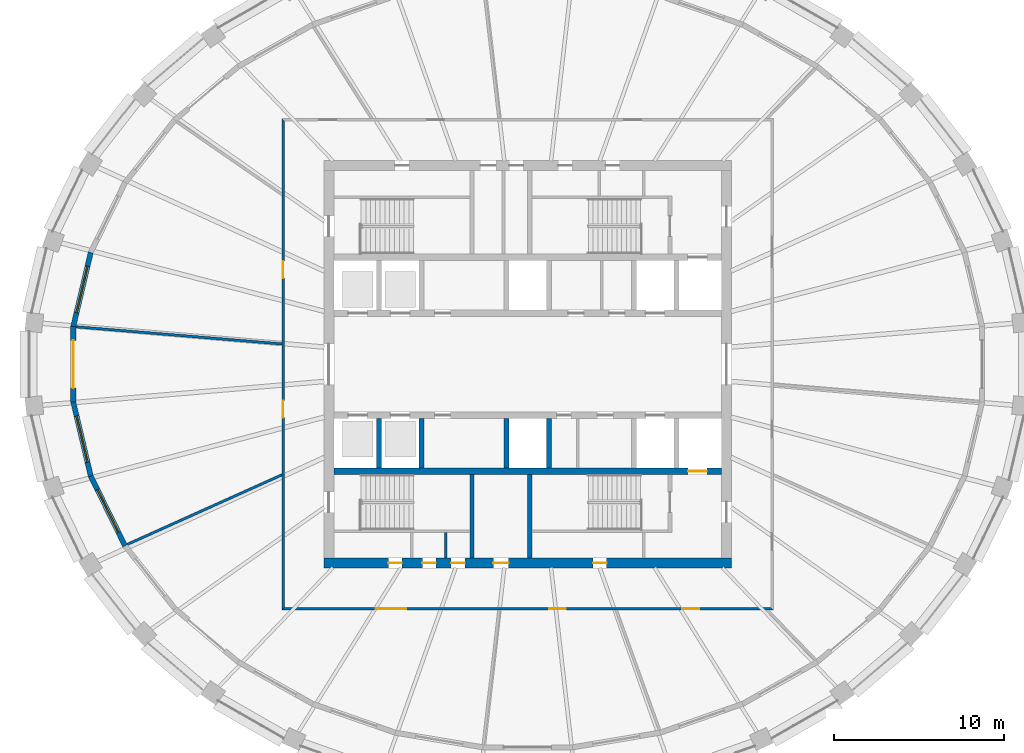
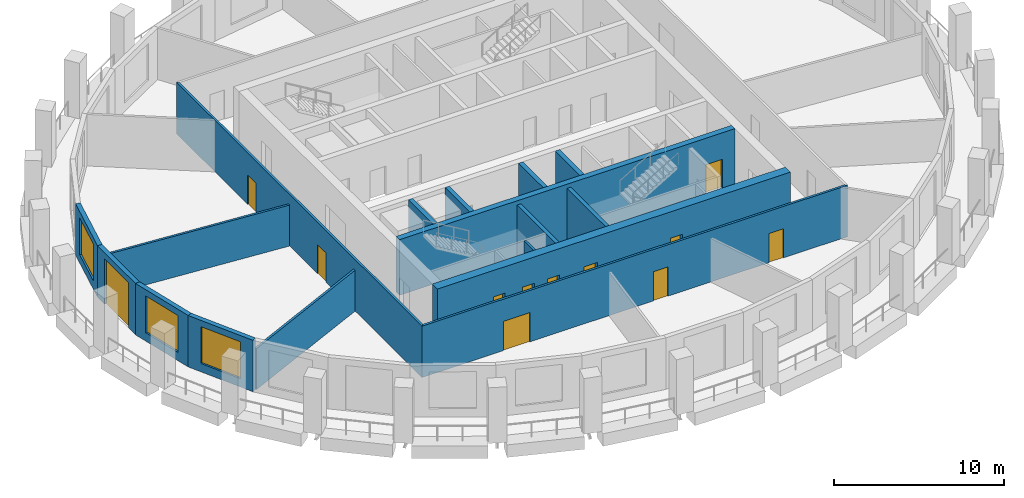
# One storey, part 3 of 10: 17 walls, 12 doors, 3 windows, 15 openings.
"""IFC4 building model written with IfcOpenShell, lengths in metres."""

from ifc_helpers import new_model, si_unit, direction, frame, frame_2d, origin, place, context, subcontext, project, spatial, polyline, rectangle, outline, extrude, material, layer, layer_set, type_object, element, fill, save


model = new_model("IFC4")

# Units and contexts
model_context = context("Model", 3, precision=1e-05, world=origin(), true_north=direction((0.0, 1.0)))
body_context = subcontext(model_context, "Body", "Model", "MODEL_VIEW")
ifc_project = project(units=[si_unit("LENGTHUNIT", "METRE"), si_unit("AREAUNIT", "SQUARE_METRE"), si_unit("VOLUMEUNIT", "CUBIC_METRE"), si_unit("PLANEANGLEUNIT", "RADIAN"), si_unit("MASSUNIT", "GRAM", prefix="KILO")], contexts=[model_context])

# Site, building, storey
site_placement = place(None, origin())
site = spatial("IfcSite", under=ifc_project, at=site_placement, CompositionType="ELEMENT")
building_placement = place(site_placement, origin())
building = spatial("IfcBuilding", under=site, at=building_placement, Name="Halqa Exchange Tower", CompositionType="ELEMENT")
storey_placement = place(building_placement, frame((0.0, 0.0, 288.300048828125)))
storey = spatial("IfcBuildingStorey", under=building, at=storey_placement, Name="L67", CompositionType="ELEMENT", Elevation=288.300048828125)

# Wall, openings, doors
ifc_material_1 = material(Name="Fire-rated gypsum board")
ifc_layer_1 = layer(ifc_material_1, 0.14990234375)
ifc_layer_set_1 = layer_set([ifc_layer_1], Name="Fire-rated gypsum board")
wall_type_1 = type_object("IfcWallType", Name="Fire partition EI 60 150", PredefinedType="PARTITIONING", material=ifc_layer_set_1)
wall_1_placement = place(storey_placement, frame((-14.39990234375, -14.47509765625, 0.0), z_axis=(0.0, 0.0, 1.0), x_axis=(0.0, 1.0, 0.0)))
wall_1 = element("IfcWall", 1, at=wall_1_placement, inside=storey, type_object=wall_type_1, Name="L67-PWL-001", PredefinedType="PARTITIONING", context=body_context, shape_type="SweptSolid", body=[
    extrude(outline(polyline([(0.150146484375, -0.074951171875), (2.06005859375, -0.074951171875), (3.97021484375, -0.074951171875), (5.880126953125, -0.074951171875), (7.7900390625, -0.074951171875), (9.7001953125, -0.074951171875), (11.610107421875, -0.074951171875), (13.52001953125, -0.074951171875), (15.43017578125, -0.074951171875), (17.340087890625, -0.074951171875), (19.25, -0.074951171875), (21.16015625, -0.074951171875), (23.070068359375, -0.074951171875), (24.97998046875, -0.074951171875), (26.89013671875, -0.074951171875), (28.800048828125, -0.074951171875), (28.949951171875, 0.074951171875), (27.02001953125, 0.074951171875), (25.090087890625, 0.074951171875), (23.159912109375, 0.074951171875), (21.22998046875, 0.074951171875), (19.300048828125, 0.074951171875), (17.3701171875, 0.074951171875), (15.440185546875, 0.074951171875), (13.510009765625, 0.074951171875), (11.580078125, 0.074951171875), (9.650146484375, 0.074951171875), (7.72021484375, 0.074951171875), (5.790283203125, 0.074951171875), (3.860107421875, 0.074951171875), (1.93017578125, 0.074951171875), (0.000244140625, 0.074951171875), (0.150146484375, -0.074951171875)])), origin(), (0.0, 0.0, 1.0), 3.699951171875),
])
opening_1_placement = place(wall_1_placement, frame((19.544921875, 0.0, 0.0)))
opening_1 = element("IfcOpeningElement", 2, at=opening_1_placement, cuts=wall_1, Name="Opening 20-07", PredefinedType="OPENING", context=body_context, shape_type="SweptSolid", body=[
    extrude(rectangle(XDim=1.0, YDim=2.10009765625, at=frame_2d((0.5, 1.050048828125))), frame((0.0, 0.0869140625, 0.0), z_axis=(0.0, -1.0, 0.0), x_axis=(1.0, 0.0, 0.0)), (0.0, 0.0, 1.0), 0.173828125),
])
opening_2_placement = place(wall_1_placement, frame((11.330078125, 0.0, 0.0)))
opening_2 = element("IfcOpeningElement", 3, at=opening_2_placement, cuts=wall_1, Name="Opening 20-08", PredefinedType="OPENING", context=body_context, shape_type="SweptSolid", body=[
    extrude(rectangle(XDim=1.0, YDim=2.10009765625, at=frame_2d((0.5, 1.050048828125))), frame((0.0, 0.0869140625, 0.0), z_axis=(0.0, -1.0, 0.0), x_axis=(1.0, 0.0, 0.0)), (0.0, 0.0, 1.0), 0.173828125),
])
ifc_material_2 = material(Name="Steel fire door leaf", Category="steel")
door_type_1 = type_object("IfcDoorType", Name="Fire door FD30S 1000 x 2100", OperationType="SINGLE_SWING_LEFT", PredefinedType="DOOR", material=ifc_material_2)
door_1_placement = place(opening_1_placement, origin())
door_1 = element("IfcDoor", 4, at=door_1_placement, inside=storey, type_object=door_type_1, Name="L67-IDR-007", OperationType="SINGLE_SWING_LEFT", OverallHeight=2.10009765625, OverallWidth=1.0, PredefinedType="DOOR", context=body_context, shape_type="SweptSolid", body=[
    extrude(rectangle(XDim=1.0, YDim=2.10009765625, at=frame_2d((0.5, 1.050048828125))), frame((0.0, 0.02490234375, 0.0), z_axis=(0.0, -1.0, 0.0), x_axis=(1.0, 0.0, 0.0)), (0.0, 0.0, 1.0), 0.050048828125),
])
fill(opening_1, door_1)
door_2_placement = place(opening_2_placement, origin())
door_2 = element("IfcDoor", 5, at=door_2_placement, inside=storey, type_object=door_type_1, Name="L67-IDR-008", OperationType="SINGLE_SWING_RIGHT", OverallHeight=2.10009765625, OverallWidth=1.0, PredefinedType="DOOR", context=body_context, shape_type="SweptSolid", body=[
    extrude(rectangle(XDim=1.0, YDim=2.10009765625, at=frame_2d((0.5, 1.050048828125))), frame((0.0, 0.02490234375, 0.0), z_axis=(0.0, -1.0, 0.0), x_axis=(1.0, 0.0, 0.0)), (0.0, 0.0, 1.0), 0.050048828125),
])
fill(opening_2, door_2)

wall_2_placement = place(storey_placement, frame((-14.47509765625, -14.39990234375, 0.0), z_axis=(0.0, 0.0, 1.0), x_axis=(1.0, 0.0, 0.0)))
wall_2 = element("IfcWall", 6, at=wall_2_placement, inside=storey, type_object=wall_type_1, Name="L67-PWL-002", PredefinedType="PARTITIONING", context=body_context, shape_type="SweptSolid", body=[
    extrude(outline(polyline([(0.000244140625, -0.074951171875), (1.93017578125, -0.074951171875), (3.860107421875, -0.074951171875), (5.790283203125, -0.074951171875), (7.72021484375, -0.074951171875), (9.650146484375, -0.074951171875), (11.580078125, -0.074951171875), (13.510009765625, -0.074951171875), (15.440185546875, -0.074951171875), (17.3701171875, -0.074951171875), (19.300048828125, -0.074951171875), (21.22998046875, -0.074951171875), (23.159912109375, -0.074951171875), (25.090087890625, -0.074951171875), (27.02001953125, -0.074951171875), (28.949951171875, -0.074951171875), (28.800048828125, 0.074951171875), (26.89013671875, 0.074951171875), (24.97998046875, 0.074951171875), (23.070068359375, 0.074951171875), (21.16015625, 0.074951171875), (19.25, 0.074951171875), (17.340087890625, 0.074951171875), (15.43017578125, 0.074951171875), (13.52001953125, 0.074951171875), (11.610107421875, 0.074951171875), (9.7001953125, 0.074951171875), (7.7900390625, 0.074951171875), (5.880126953125, 0.074951171875), (3.97021484375, 0.074951171875), (2.06005859375, 0.074951171875), (0.150146484375, 0.074951171875), (0.000244140625, -0.074951171875)])), origin(), (0.0, 0.0, 1.0), 3.699951171875),
])
opening_3_placement = place(wall_2_placement, frame((5.534912109375, 0.0, 0.0)))
opening_3 = element("IfcOpeningElement", 7, at=opening_3_placement, cuts=wall_2, Name="Opening 20-09", PredefinedType="OPENING", context=body_context, shape_type="SweptSolid", body=[
    extrude(rectangle(XDim=1.800048828125, YDim=2.10009765625, at=frame_2d((0.89990234375, 1.050048828125))), frame((0.0, 0.0869140625, 0.0), z_axis=(0.0, -1.0, 0.0), x_axis=(1.0, 0.0, 0.0)), (0.0, 0.0, 1.0), 0.173828125),
])
opening_4_placement = place(wall_2_placement, frame((15.72998046875, 0.0, 0.0)))
opening_4 = element("IfcOpeningElement", 8, at=opening_4_placement, cuts=wall_2, Name="Opening 20-10", PredefinedType="OPENING", context=body_context, shape_type="SweptSolid", body=[
    extrude(rectangle(XDim=1.0, YDim=2.10009765625, at=frame_2d((0.5, 1.050048828125))), frame((0.0, 0.0869140625, 0.0), z_axis=(0.0, -1.0, 0.0), x_axis=(1.0, 0.0, 0.0)), (0.0, 0.0, 1.0), 0.173828125),
])
opening_5_placement = place(wall_2_placement, frame((23.5849609375, 0.0, 0.0)))
opening_5 = element("IfcOpeningElement", 9, at=opening_5_placement, cuts=wall_2, Name="Opening 20-11", PredefinedType="OPENING", context=body_context, shape_type="SweptSolid", body=[
    extrude(rectangle(XDim=1.0, YDim=2.10009765625, at=frame_2d((0.5, 1.050048828125))), frame((0.0, 0.0869140625, 0.0), z_axis=(0.0, -1.0, 0.0), x_axis=(1.0, 0.0, 0.0)), (0.0, 0.0, 1.0), 0.173828125),
])
door_3_placement = place(opening_4_placement, frame((1.0, 0.0, 0.0), z_axis=(0.0, 0.0, 1.0), x_axis=(-1.0, 0.0, 0.0)))
door_3 = element("IfcDoor", 10, at=door_3_placement, inside=storey, type_object=door_type_1, Name="L67-IDR-010", OperationType="SINGLE_SWING_RIGHT", OverallHeight=2.10009765625, OverallWidth=1.0, PredefinedType="DOOR", context=body_context, shape_type="SweptSolid", body=[
    extrude(rectangle(XDim=1.0, YDim=2.10009765625, at=frame_2d((0.5, 1.050048828125))), frame((0.0, 0.02490234375, 0.0), z_axis=(0.0, -1.0, 0.0), x_axis=(1.0, 0.0, 0.0)), (0.0, 0.0, 1.0), 0.050048828125),
])
fill(opening_4, door_3)
door_4_placement = place(opening_5_placement, frame((1.0, 0.0, 0.0), z_axis=(0.0, 0.0, 1.0), x_axis=(-1.0, 0.0, 0.0)))
door_4 = element("IfcDoor", 11, at=door_4_placement, inside=storey, type_object=door_type_1, Name="L67-IDR-011", OperationType="SINGLE_SWING_RIGHT", OverallHeight=2.10009765625, OverallWidth=1.0, PredefinedType="DOOR", context=body_context, shape_type="SweptSolid", body=[
    extrude(rectangle(XDim=1.0, YDim=2.10009765625, at=frame_2d((0.5, 1.050048828125))), frame((0.0, 0.02490234375, 0.0), z_axis=(0.0, -1.0, 0.0), x_axis=(1.0, 0.0, 0.0)), (0.0, 0.0, 1.0), 0.050048828125),
])
fill(opening_5, door_4)
door_type_2 = type_object("IfcDoorType", Name="Fire door FD30S double 1800 x 2100", OperationType="DOUBLE_DOOR_SINGLE_SWING", PredefinedType="DOOR", material=ifc_material_2)
door_5_placement = place(opening_3_placement, frame((1.800048828125, 0.0, 0.0), z_axis=(0.0, 0.0, 1.0), x_axis=(-1.0, 0.0, 0.0)))
door_5 = element("IfcDoor", 12, at=door_5_placement, inside=storey, type_object=door_type_2, Name="L67-IDR-009", OperationType="DOUBLE_DOOR_SINGLE_SWING", OverallHeight=2.10009765625, OverallWidth=1.800048828125, PredefinedType="DOOR", context=body_context, shape_type="SweptSolid", body=[
    extrude(rectangle(XDim=1.800048828125, YDim=2.10009765625, at=frame_2d((0.89990234375, 1.050048828125))), frame((0.0, 0.02490234375, 0.0), z_axis=(0.0, -1.0, 0.0), x_axis=(1.0, 0.0, 0.0)), (0.0, 0.0, 1.0), 0.050048828125),
])
fill(opening_3, door_5)

# Walls
wall_3_placement = place(storey_placement, frame((-14.444580078125, -6.5, 0.0), z_axis=(0.0, 0.0, 1.0), x_axis=(-0.912008635086, -0.410171000351, 0.0)))
element("IfcWall", 13, at=wall_3_placement, inside=storey, type_object=wall_type_1, Name="L67-PWL-003", PredefinedType="PARTITIONING", context=body_context, shape_type="SweptSolid", body=[
    extrude(outline(polyline([(10.011474609375, -0.074951171875), (10.011474609375, -0.07080078125), (10.0087890625, 0.00537109375), (9.9912109375, 0.074951171875), (8.00634765625, 0.074951171875), (6.021484375, 0.074951171875), (4.03662109375, 0.074951171875), (2.052001953125, 0.074951171875), (0.067138671875, 0.074951171875), (0.0, -0.07421875), (0.0, -0.074951171875), (1.66845703125, -0.074951171875), (3.337158203125, -0.074951171875), (5.005859375, -0.074951171875), (6.67431640625, -0.074951171875), (8.3427734375, -0.074951171875), (10.011474609375, -0.074951171875)])), origin(), (0.0, 0.0, 1.0), 2.947021484375),
])
wall_4_placement = place(storey_placement, frame((-14.46923828125, 1.19580078125, 0.0), z_axis=(0.0, 0.0, 1.0), x_axis=(-0.996556684965, 0.08291425481, 0.0)))
element("IfcWall", 14, at=wall_4_placement, inside=storey, type_object=wall_type_1, Name="L67-PWL-004", PredefinedType="PARTITIONING", context=body_context, shape_type="SweptSolid", body=[
    extrude(outline(polyline([(0.011962890625, -0.074951171875), (1.747314453125, -0.074951171875), (3.482666015625, -0.074951171875), (5.218017578125, -0.074951171875), (6.953369140625, -0.074951171875), (8.688720703125, -0.074951171875), (10.424072265625, -0.074951171875), (12.159423828125, -0.074951171875), (12.163818359375, -0.045166015625), (12.163818359375, 0.074951171875), (10.426025390625, 0.074951171875), (8.6884765625, 0.074951171875), (6.95068359375, 0.074951171875), (5.213134765625, 0.074951171875), (3.475341796875, 0.074951171875), (1.73779296875, 0.074951171875), (0.0, 0.074951171875), (0.0, 0.069580078125), (0.011962890625, -0.074951171875)])), origin(), (0.0, 0.0, 1.0), 2.947021484375),
])
ifc_material_3 = material(Name="Gypsum board")
ifc_layer_2 = layer(ifc_material_3, 0.14990234375)
ifc_layer_set_2 = layer_set([ifc_layer_2], Name="Gypsum board")
wall_type_2 = type_object("IfcWallType", Name="Penthouse riser wall 150 gypsum", PredefinedType="PARTITIONING", material=ifc_layer_set_2)
wall_5_placement = place(storey_placement, frame((-4.824951171875, -11.39990234375, 0.0), z_axis=(0.0, 0.0, 1.0), x_axis=(0.0, 1.0, 0.0)))
element("IfcWall", 15, at=wall_5_placement, inside=storey, type_object=wall_type_2, Name="Partition W4.825 S", PredefinedType="PARTITIONING", context=body_context, shape_type="SweptSolid", body=[
    extrude(rectangle(XDim=1.5, YDim=0.14990234375, at=frame_2d((0.75, 0.0))), origin(), (0.0, 0.0, 1.0), 3.699951171875),
])
ifc_material_4 = material(Name="Concrete C60/75", Category="concrete")
ifc_layer_3 = layer(ifc_material_4, 0.300048828125)
ifc_layer_set_3 = layer_set([ifc_layer_3], Name="Concrete C60/75")
wall_type_3 = type_object("IfcWallType", Name="RC core wall 300", PredefinedType="SHEAR", material=ifc_layer_set_3)
for number, where, z_axis, x_axis, name in (
    (16, (-8.75, -6.10009765625, 0.0), (0.0, 0.0, 1.0), (0.0, 1.0, 0.0), "Shaft divider S1"),
    (17, (-6.25, -6.10009765625, 0.0), (0.0, 0.0, 1.0), (0.0, 1.0, 0.0), "Shaft divider S2"),
    (18, (-1.25, -6.10009765625, 0.0), (0.0, 0.0, 1.0), (0.0, 1.0, 0.0), "Shaft divider S4"),
    (19, (1.25, -6.10009765625, 0.0), (0.0, 0.0, 1.0), (0.0, 1.0, 0.0), "Shaft divider S5"),
):
    element("IfcWall", number, at=place(storey_placement, frame(where, z_axis=z_axis, x_axis=x_axis)), inside=storey, type_object=wall_type_3, Name=name, PredefinedType="SHEAR", context=body_context, shape_type="SweptSolid", body=[
        extrude(rectangle(XDim=2.900146484375, YDim=0.300048828125, at=frame_2d((1.4501953125, 0.0))), origin(), (0.0, 0.0, 1.0), 4.0),
    ])

# Wall, opening, door
ifc_layer_4 = layer(ifc_material_4, 0.39990234375)
ifc_layer_set_4 = layer_set([ifc_layer_4], Name="Concrete C60/75")
wall_type_4 = type_object("IfcWallType", Name="RC core wall 400 C60/75", PredefinedType="SHEAR", material=ifc_layer_set_4)
wall_6_placement = place(storey_placement, frame((-11.39990234375, -6.300048828125, 0.0), z_axis=(0.0, 0.0, 1.0), x_axis=(1.0, 0.0, 0.0)))
wall_6 = element("IfcWall", 20, at=wall_6_placement, inside=storey, type_object=wall_type_4, Name="Lift row back wall S", PredefinedType="SHEAR", context=body_context, shape_type="SweptSolid", body=[
    extrude(rectangle(XDim=22.7998046875, YDim=0.39990234375, at=frame_2d((11.39990234375, 0.0))), origin(), (0.0, 0.0, 1.0), 4.0),
])
opening_6_placement = place(wall_6_placement, frame((20.85009765625, 0.0, 0.0)))
opening_6 = element("IfcOpeningElement", 21, at=opening_6_placement, cuts=wall_6, Name="Opening LD-FF2-T20", PredefinedType="OPENING", context=body_context, shape_type="SweptSolid", body=[
    extrude(rectangle(XDim=1.10009765625, YDim=2.10009765625, at=frame_2d((0.550048828125, 1.050048828125))), frame((0.0, 0.2119140625, 0.0), z_axis=(0.0, -1.0, 0.0), x_axis=(1.0, 0.0, 0.0)), (0.0, 0.0, 1.0), 0.423828125),
])
ifc_material_5 = material(Name="Stainless steel", Category="steel")
door_type_3 = type_object("IfcDoorType", Name="Lift landing door 1100 x 2100", OperationType="SLIDING_TO_LEFT", PredefinedType="DOOR", material=ifc_material_5)
door_6_placement = place(opening_6_placement, origin())
door_6 = element("IfcDoor", 22, at=door_6_placement, inside=storey, type_object=door_type_3, Name="Lift landing door FF2", OperationType="SLIDING_TO_LEFT", OverallHeight=2.10009765625, OverallWidth=1.10009765625, PredefinedType="DOOR", context=body_context, shape_type="SweptSolid", body=[
    extrude(rectangle(XDim=1.10009765625, YDim=2.10009765625, at=frame_2d((0.550048828125, 1.050048828125))), frame((0.0, 0.02490234375, 0.0), z_axis=(0.0, -1.0, 0.0), x_axis=(1.0, 0.0, 0.0)), (0.0, 0.0, 1.0), 0.050048828125),
])
fill(opening_6, door_6)

# Wall, openings, doors
ifc_layer_5 = layer(ifc_material_4, 0.60009765625)
ifc_layer_set_5 = layer_set([ifc_layer_5], Name="Concrete C60/75")
wall_type_5 = type_object("IfcWallType", Name="RC core wall 600 C60/75", PredefinedType="SHEAR", material=ifc_layer_set_5)
wall_7_placement = place(storey_placement, frame((-12.0, -11.699951171875, 0.0), z_axis=(0.0, 0.0, 1.0), x_axis=(1.0, 0.0, 0.0)))
wall_7 = element("IfcWall", 23, at=wall_7_placement, inside=storey, type_object=wall_type_5, Name="Core wall south", PredefinedType="SHEAR", context=body_context, shape_type="SweptSolid", body=[
    extrude(rectangle(XDim=24.0, YDim=0.60009765625, at=frame_2d((12.0, 0.0))), origin(), (0.0, 0.0, 1.0), 4.0),
])
opening_7_placement = place(wall_7_placement, frame((9.97509765625, 0.0, 0.0)))
opening_7 = element("IfcOpeningElement", 24, at=opening_7_placement, cuts=wall_7, Name="Opening T20-C22", PredefinedType="OPENING", context=body_context, shape_type="SweptSolid", body=[
    extrude(rectangle(XDim=0.89990234375, YDim=2.10009765625, at=frame_2d((0.449951171875, 1.050048828125))), frame((0.0, 0.31201171875, 0.0), z_axis=(0.0, -1.0, 0.0), x_axis=(1.0, 0.0, 0.0)), (0.0, 0.0, 1.0), 0.6240234375),
])
opening_8_placement = place(wall_7_placement, frame((3.800048828125, 0.0, 0.0)))
opening_8 = element("IfcOpeningElement", 25, at=opening_8_placement, cuts=wall_7, Name="Opening T20-C23", PredefinedType="OPENING", context=body_context, shape_type="SweptSolid", body=[
    extrude(rectangle(XDim=0.800048828125, YDim=2.10009765625, at=frame_2d((0.39990234375, 1.050048828125))), frame((0.0, 0.31201171875, 0.0), z_axis=(0.0, -1.0, 0.0), x_axis=(1.0, 0.0, 0.0)), (0.0, 0.0, 1.0), 0.6240234375),
])
opening_9_placement = place(wall_7_placement, frame((5.800048828125, 0.0, 0.0)))
opening_9 = element("IfcOpeningElement", 26, at=opening_9_placement, cuts=wall_7, Name="Opening T20-C24", PredefinedType="OPENING", context=body_context, shape_type="SweptSolid", body=[
    extrude(rectangle(XDim=0.800048828125, YDim=2.10009765625, at=frame_2d((0.39990234375, 1.050048828125))), frame((0.0, 0.31201171875, 0.0), z_axis=(0.0, -1.0, 0.0), x_axis=(1.0, 0.0, 0.0)), (0.0, 0.0, 1.0), 0.6240234375),
])
opening_10_placement = place(wall_7_placement, frame((7.5, 0.0, 0.0)))
opening_10 = element("IfcOpeningElement", 27, at=opening_10_placement, cuts=wall_7, Name="Opening T20-C25", PredefinedType="OPENING", context=body_context, shape_type="SweptSolid", body=[
    extrude(rectangle(XDim=0.800048828125, YDim=2.10009765625, at=frame_2d((0.39990234375, 1.050048828125))), frame((0.0, 0.31201171875, 0.0), z_axis=(0.0, -1.0, 0.0), x_axis=(1.0, 0.0, 0.0)), (0.0, 0.0, 1.0), 0.6240234375),
])
opening_11_placement = place(wall_7_placement, frame((15.85009765625, 0.0, 0.0)))
opening_11 = element("IfcOpeningElement", 28, at=opening_11_placement, cuts=wall_7, Name="Opening T20-C26", PredefinedType="OPENING", context=body_context, shape_type="SweptSolid", body=[
    extrude(rectangle(XDim=0.800048828125, YDim=2.10009765625, at=frame_2d((0.39990234375, 1.050048828125))), frame((0.0, 0.31201171875, 0.0), z_axis=(0.0, -1.0, 0.0), x_axis=(1.0, 0.0, 0.0)), (0.0, 0.0, 1.0), 0.6240234375),
])
ifc_material_6 = material(Name="Timber fire door leaf", Category="wood")
door_type_4 = type_object("IfcDoorType", Name="Core room door FD30 900 x 2100", OperationType="SINGLE_SWING_LEFT", PredefinedType="DOOR", material=ifc_material_6)
door_7_placement = place(opening_7_placement, origin())
door_7 = element("IfcDoor", 29, at=door_7_placement, inside=storey, type_object=door_type_4, Name="Core room door", OperationType="SINGLE_SWING_LEFT", OverallHeight=2.10009765625, OverallWidth=0.89990234375, PredefinedType="DOOR", context=body_context, shape_type="SweptSolid", body=[
    extrude(rectangle(XDim=0.89990234375, YDim=2.10009765625, at=frame_2d((0.449951171875, 1.050048828125))), frame((0.0, 0.02490234375, 0.0), z_axis=(0.0, -1.0, 0.0), x_axis=(1.0, 0.0, 0.0)), (0.0, 0.0, 1.0), 0.050048828125),
])
fill(opening_7, door_7)
door_type_5 = type_object("IfcDoorType", Name="Riser door FD60 800 x 2100", OperationType="SINGLE_SWING_LEFT", PredefinedType="DOOR", material=ifc_material_2)
door_8_placement = place(opening_8_placement, origin())
door_8 = element("IfcDoor", 30, at=door_8_placement, inside=storey, type_object=door_type_5, Name="Core room door", OperationType="SINGLE_SWING_LEFT", OverallHeight=2.10009765625, OverallWidth=0.800048828125, PredefinedType="DOOR", context=body_context, shape_type="SweptSolid", body=[
    extrude(rectangle(XDim=0.800048828125, YDim=2.10009765625, at=frame_2d((0.39990234375, 1.050048828125))), frame((0.0, 0.02490234375, 0.0), z_axis=(0.0, -1.0, 0.0), x_axis=(1.0, 0.0, 0.0)), (0.0, 0.0, 1.0), 0.050048828125),
])
fill(opening_8, door_8)
door_9_placement = place(opening_9_placement, origin())
door_9 = element("IfcDoor", 31, at=door_9_placement, inside=storey, type_object=door_type_5, Name="Core room door", OperationType="SINGLE_SWING_RIGHT", OverallHeight=2.10009765625, OverallWidth=0.800048828125, PredefinedType="DOOR", context=body_context, shape_type="SweptSolid", body=[
    extrude(rectangle(XDim=0.800048828125, YDim=2.10009765625, at=frame_2d((0.39990234375, 1.050048828125))), frame((0.0, 0.02490234375, 0.0), z_axis=(0.0, -1.0, 0.0), x_axis=(1.0, 0.0, 0.0)), (0.0, 0.0, 1.0), 0.050048828125),
])
fill(opening_9, door_9)
door_10_placement = place(opening_10_placement, origin())
door_10 = element("IfcDoor", 32, at=door_10_placement, inside=storey, type_object=door_type_5, Name="Core room door", OperationType="SINGLE_SWING_RIGHT", OverallHeight=2.10009765625, OverallWidth=0.800048828125, PredefinedType="DOOR", context=body_context, shape_type="SweptSolid", body=[
    extrude(rectangle(XDim=0.800048828125, YDim=2.10009765625, at=frame_2d((0.39990234375, 1.050048828125))), frame((0.0, 0.02490234375, 0.0), z_axis=(0.0, -1.0, 0.0), x_axis=(1.0, 0.0, 0.0)), (0.0, 0.0, 1.0), 0.050048828125),
])
fill(opening_10, door_10)
door_11_placement = place(opening_11_placement, origin())
door_11 = element("IfcDoor", 33, at=door_11_placement, inside=storey, type_object=door_type_5, Name="Core room door", OperationType="SINGLE_SWING_LEFT", OverallHeight=2.10009765625, OverallWidth=0.800048828125, PredefinedType="DOOR", context=body_context, shape_type="SweptSolid", body=[
    extrude(rectangle(XDim=0.800048828125, YDim=2.10009765625, at=frame_2d((0.39990234375, 1.050048828125))), frame((0.0, 0.02490234375, 0.0), z_axis=(0.0, -1.0, 0.0), x_axis=(1.0, 0.0, 0.0)), (0.0, 0.0, 1.0), 0.050048828125),
])
fill(opening_11, door_11)

# Walls
ifc_material_7 = material(Name="Concrete C30/37", Category="concrete")
ifc_layer_6 = layer(ifc_material_7, 0.25)
ifc_layer_set_6 = layer_set([ifc_layer_6], Name="Concrete C30/37")
wall_type_6 = type_object("IfcWallType", Name="RC stair wall 250 C30/37", PredefinedType="SHEAR", material=ifc_layer_set_6)
for number, where, z_axis, x_axis, name in (
    (34, (-3.27490234375, -11.39990234375, 0.0), (0.0, 0.0, 1.0), (0.0, 1.0, 0.0), "Stair ST1 east wall S"),
    (35, (0.125, -11.39990234375, 0.0), (0.0, 0.0, 1.0), (0.0, 1.0, 0.0), "Stair ST2 west wall S"),
):
    element("IfcWall", number, at=place(storey_placement, frame(where, z_axis=z_axis, x_axis=x_axis)), inside=storey, type_object=wall_type_6, Name=name, PredefinedType="SHEAR", context=body_context, shape_type="SweptSolid", body=[
        extrude(rectangle(XDim=4.89990234375, YDim=0.25, at=frame_2d((2.449951171875, 0.0))), origin(), (0.0, 0.0, 1.0), 3.699951171875),
    ])

# Wall, opening, window
ifc_material_8 = material(Name="Limestone cladding", Category="masonry")
ifc_layer_7 = layer(ifc_material_8, 0.0400390625)
ifc_material_9 = material(Name="Ventilated cavity")
ifc_layer_8 = layer(ifc_material_9, 0.030029296875, ventilated=True)
ifc_material_10 = material(Name="Mineral wool insulation")
ifc_layer_9 = layer(ifc_material_10, 0.10009765625)
ifc_layer_10 = layer(ifc_material_7, 0.10009765625)
ifc_material_11 = material(Name="Internal plaster")
ifc_layer_11 = layer(ifc_material_11, 0.030029296875)
ifc_layer_set_7 = layer_set([ifc_layer_7, ifc_layer_8, ifc_layer_9, ifc_layer_10, ifc_layer_11], Name="Stone-faced insulated wall 300")
wall_type_7 = type_object("IfcWallType", Name="Stone-faced insulated wall 300", PredefinedType="STANDARD", material=ifc_layer_set_7)
wall_8_placement = place(storey_placement, frame((-25.717529296875, 6.584716796875, 0.0), z_axis=(0.0, 0.0, 1.0), x_axis=(-0.229862207503, -0.973223183839, 0.0)))
wall_8 = element("IfcWall", 36, at=wall_8_placement, inside=storey, type_object=wall_type_7, Name="Glass-line wall 15", PredefinedType="STANDARD", context=body_context, shape_type="SweptSolid", body=[
    extrude(outline(polyline([(-0.016845703125, -0.14990234375), (4.49853515625, -0.14990234375), (4.46337890625, 0.14990234375), (0.016845703125, 0.14990234375), (-0.016845703125, -0.14990234375)])), origin(), (0.0, 0.0, 1.0), 3.699951171875),
])
opening_12_placement = place(wall_8_placement, frame((0.840576171875, 0.0, 0.60009765625)))
opening_12 = element("IfcOpeningElement", 37, at=opening_12_placement, cuts=wall_8, Name="Opening W-F4-15", PredefinedType="OPENING", context=body_context, shape_type="SweptSolid", body=[
    extrude(rectangle(XDim=2.800048828125, YDim=2.64990234375, at=frame_2d((1.39990234375, 1.324951171875))), frame((0.0, 0.162109375, 0.0), z_axis=(0.0, -1.0, 0.0), x_axis=(1.0, 0.0, 0.0)), (0.0, 0.0, 1.0), 0.323974609375),
])
ifc_material_12 = material(Name="Clear low-emissivity glass in aluminium frame", Category="aluminium")
window_type = type_object("IfcWindowType", Name="Fixed clear glazed window 2800 x 2650", PartitioningType="DOUBLE_PANEL_VERTICAL", PredefinedType="WINDOW", material=ifc_material_12)
window_1_placement = place(opening_12_placement, origin())
window_1 = element("IfcWindow", 38, at=window_1_placement, inside=storey, type_object=window_type, Name="Window 4", OverallHeight=2.64990234375, OverallWidth=2.800048828125, PartitioningType="DOUBLE_PANEL_VERTICAL", PredefinedType="WINDOW", context=body_context, shape_type="SweptSolid", body=[
    extrude(rectangle(XDim=2.800048828125, YDim=2.64990234375, at=frame_2d((1.39990234375, 1.324951171875))), frame((0.0, 0.030029296875, 0.0), z_axis=(0.0, -1.0, 0.0), x_axis=(1.0, 0.0, 0.0)), (0.0, 0.0, 1.0), 0.06005859375),
])
fill(opening_12, window_1)

# Wall, opening, door
wall_9_placement = place(storey_placement, frame((-26.74755859375, 2.2236328125, 0.0), z_axis=(0.0, 0.0, 1.0), x_axis=(0.0, -1.0, 0.0)))
wall_9 = element("IfcWall", 39, at=wall_9_placement, inside=storey, type_object=wall_type_7, Name="Glass-line wall 16", PredefinedType="STANDARD", context=body_context, shape_type="SweptSolid", body=[
    extrude(outline(polyline([(-0.017578125, -0.14990234375), (4.46484375, -0.14990234375), (4.4296875, 0.14990234375), (0.017578125, 0.14990234375), (-0.017578125, -0.14990234375)])), origin(), (0.0, 0.0, 1.0), 3.699951171875),
])
opening_13_placement = place(wall_9_placement, frame((0.82373046875, 0.0, 0.0)))
opening_13 = element("IfcOpeningElement", 40, at=opening_13_placement, cuts=wall_9, Name="Opening LG-F4-04", PredefinedType="OPENING", context=body_context, shape_type="SweptSolid", body=[
    extrude(rectangle(XDim=2.800048828125, YDim=3.25, at=frame_2d((1.39990234375, 1.625))), frame((0.0, 0.162109375, 0.0), z_axis=(0.0, -1.0, 0.0), x_axis=(1.0, 0.0, 0.0)), (0.0, 0.0, 1.0), 0.323974609375),
])
door_type_6 = type_object("IfcDoorType", Name="Glazed sliding loggia door 2800 x 3250", OperationType="DOUBLE_DOOR_SLIDING", PredefinedType="DOOR", material=ifc_material_12)
door_12_placement = place(opening_13_placement, origin())
door_12 = element("IfcDoor", 41, at=door_12_placement, inside=storey, type_object=door_type_6, Name="Loggia door 4", OperationType="DOUBLE_DOOR_SLIDING", OverallHeight=3.25, OverallWidth=2.800048828125, PredefinedType="DOOR", context=body_context, shape_type="SweptSolid", body=[
    extrude(rectangle(XDim=2.800048828125, YDim=3.25, at=frame_2d((1.39990234375, 1.625))), frame((0.0, 0.02490234375, 0.0), z_axis=(0.0, -1.0, 0.0), x_axis=(1.0, 0.0, 0.0)), (0.0, 0.0, 1.0), 0.050048828125),
])
fill(opening_13, door_12)

# Wall, opening, window
wall_10_placement = place(storey_placement, frame((-26.74755859375, -2.2236328125, 0.0), z_axis=(0.0, 0.0, 1.0), x_axis=(0.229862207503, -0.973223183839, 0.0)))
wall_10 = element("IfcWall", 42, at=wall_10_placement, inside=storey, type_object=wall_type_7, Name="Glass-line wall 17", PredefinedType="STANDARD", context=body_context, shape_type="SweptSolid", body=[
    extrude(outline(polyline([(-0.017578125, -0.14990234375), (4.497802734375, -0.14990234375), (4.464111328125, 0.14990234375), (0.017578125, 0.14990234375), (-0.017578125, -0.14990234375)])), origin(), (0.0, 0.0, 1.0), 3.699951171875),
])
opening_14_placement = place(wall_10_placement, frame((0.840576171875, 0.0, 0.60009765625)))
opening_14 = element("IfcOpeningElement", 43, at=opening_14_placement, cuts=wall_10, Name="Opening W-F4-17", PredefinedType="OPENING", context=body_context, shape_type="SweptSolid", body=[
    extrude(rectangle(XDim=2.800048828125, YDim=2.64990234375, at=frame_2d((1.39990234375, 1.324951171875))), frame((0.0, 0.162109375, 0.0), z_axis=(0.0, -1.0, 0.0), x_axis=(1.0, 0.0, 0.0)), (0.0, 0.0, 1.0), 0.323974609375),
])
window_2_placement = place(opening_14_placement, origin())
window_2 = element("IfcWindow", 44, at=window_2_placement, inside=storey, type_object=window_type, Name="Window 4", OverallHeight=2.64990234375, OverallWidth=2.800048828125, PartitioningType="DOUBLE_PANEL_VERTICAL", PredefinedType="WINDOW", context=body_context, shape_type="SweptSolid", body=[
    extrude(rectangle(XDim=2.800048828125, YDim=2.64990234375, at=frame_2d((1.39990234375, 1.324951171875))), frame((0.0, 0.030029296875, 0.0), z_axis=(0.0, -1.0, 0.0), x_axis=(1.0, 0.0, 0.0)), (0.0, 0.0, 1.0), 0.06005859375),
])
fill(opening_14, window_2)

wall_11_placement = place(storey_placement, frame((-25.717529296875, -6.584716796875, 0.0), z_axis=(0.0, 0.0, 1.0), x_axis=(0.441335149795, -0.897342345794, 0.0)))
wall_11 = element("IfcWall", 45, at=wall_11_placement, inside=storey, type_object=wall_type_7, Name="Glass-line wall 18", PredefinedType="STANDARD", context=body_context, shape_type="SweptSolid", body=[
    extrude(outline(polyline([(-0.016845703125, -0.14990234375), (4.592041015625, -0.14990234375), (4.559814453125, 0.14990234375), (0.016845703125, 0.14990234375), (-0.016845703125, -0.14990234375)])), origin(), (0.0, 0.0, 1.0), 3.699951171875),
])
opening_15_placement = place(wall_11_placement, frame((0.887939453125, 0.0, 0.60009765625)))
opening_15 = element("IfcOpeningElement", 46, at=opening_15_placement, cuts=wall_11, Name="Opening W-F4-18", PredefinedType="OPENING", context=body_context, shape_type="SweptSolid", body=[
    extrude(rectangle(XDim=2.800048828125, YDim=2.64990234375, at=frame_2d((1.39990234375, 1.324951171875))), frame((0.0, 0.162109375, 0.0), z_axis=(0.0, -1.0, 0.0), x_axis=(1.0, 0.0, 0.0)), (0.0, 0.0, 1.0), 0.323974609375),
])
window_3_placement = place(opening_15_placement, origin())
window_3 = element("IfcWindow", 47, at=window_3_placement, inside=storey, type_object=window_type, Name="Window 4", OverallHeight=2.64990234375, OverallWidth=2.800048828125, PartitioningType="DOUBLE_PANEL_VERTICAL", PredefinedType="WINDOW", context=body_context, shape_type="SweptSolid", body=[
    extrude(rectangle(XDim=2.800048828125, YDim=2.64990234375, at=frame_2d((1.39990234375, 1.324951171875))), frame((0.0, 0.030029296875, 0.0), z_axis=(0.0, -1.0, 0.0), x_axis=(1.0, 0.0, 0.0)), (0.0, 0.0, 1.0), 0.06005859375),
])
fill(opening_15, window_3)

save(model, "model.ifc")
